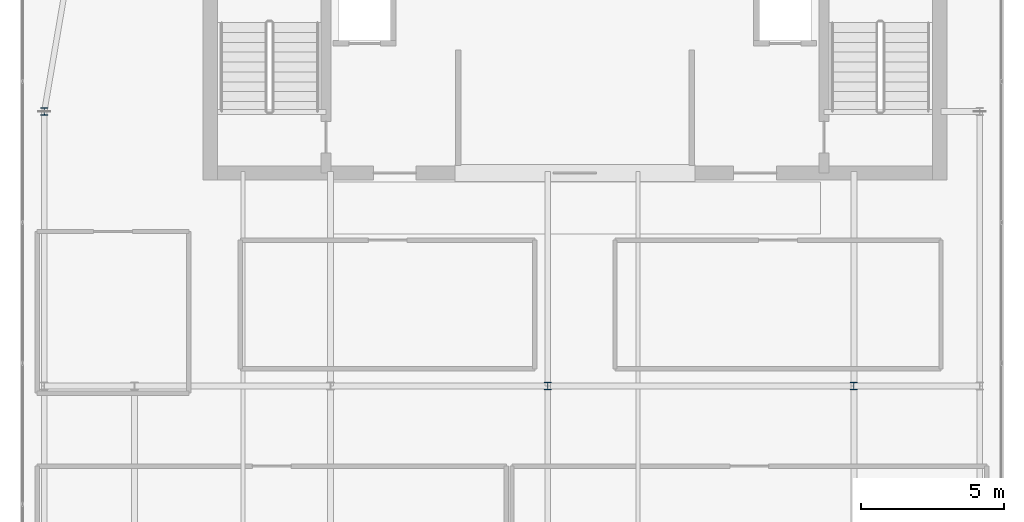
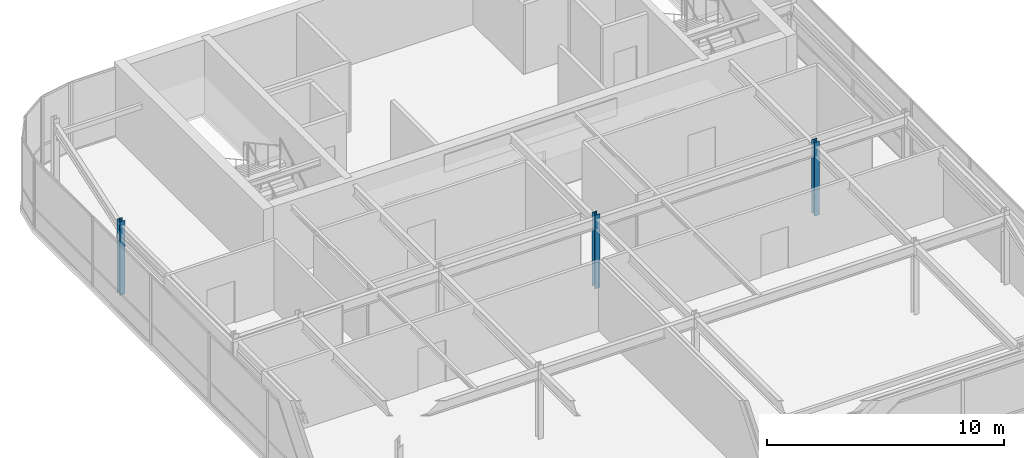
# One storey, part 2 of 36: 3 columns.
"""IFC4 building model written with IfcOpenShell, lengths in metres."""

from ifc_helpers import new_model, si_unit, direction, frame, origin, origin_2d, place, context, subcontext, project, spatial, i_section, extrude, source, transform, mapped, material, material_profile, profile_set, type_object, type_shapes, element, save


model = new_model("IFC4")

# Units and contexts
model_context = context("Model", 3, precision=1e-05, world=origin(), true_north=direction((0.0, 1.0)))
body_context = subcontext(model_context, "Body", "Model", "MODEL_VIEW")
ifc_project = project(units=[si_unit("LENGTHUNIT", "METRE"), si_unit("AREAUNIT", "SQUARE_METRE"), si_unit("VOLUMEUNIT", "CUBIC_METRE"), si_unit("PLANEANGLEUNIT", "RADIAN"), si_unit("MASSUNIT", "GRAM", prefix="KILO")], contexts=[model_context])

# Site, building, storey
site_placement = place(None, origin())
site = spatial("IfcSite", under=ifc_project, at=site_placement, CompositionType="ELEMENT")
building_placement = place(site_placement, origin())
building = spatial("IfcBuilding", under=site, at=building_placement, Name="Tolvann Quenvar Hotel", CompositionType="ELEMENT")
storey_placement = place(building_placement, frame((0.0, 0.0, 298.550048828125)))
storey = spatial("IfcBuildingStorey", under=building, at=storey_placement, Name="L79", CompositionType="ELEMENT", Elevation=298.550048828125)

# Columns
ifc_material = material(Name="Steel Grade 350", Category="steel")
ifc_material_profile = material_profile(ifc_material, i_section(OverallWidth=0.256103515625, OverallDepth=0.260009765625, WebThickness=0.010498046875, FlangeThickness=0.017333984375, FilletRadius=0.013916015625, at=origin_2d()), Name="250UC90")
ifc_profile_set = profile_set([ifc_material_profile], Name="Steel Grade 350")
column_type = type_object("IfcColumnType", Name="COL_250UC90", PredefinedType="COLUMN", material=ifc_profile_set)
shared_shape = source(origin(), body_context, "Body", "SweptSolid", [
    extrude(i_section(OverallWidth=0.256103515625, OverallDepth=0.260009765625, WebThickness=0.010498046875, FlangeThickness=0.017333984375, FilletRadius=0.013916015625, at=origin_2d()), origin(), (0.0, 0.0, 1.0), 3.800048828125),
])
type_shapes(column_type, [shared_shape])
for number, where, z_axis, x_axis, name in (
    (1, (22.050048828125, 24.39990234375, 0.0), (0.0, 0.0, 1.0), (1.0, 0.0, 0.0), "Column E5 (L79)"),
    (2, (32.75, 24.39990234375, 0.0), (0.0, 0.0, 1.0), (1.0, 0.0, 0.0), "Column FP5 (L79)"),
    (3, (4.449951171875, 34.0, 0.0), (0.0, 0.0, 1.0), (1.0, 0.0, 0.0), "Column BD6 (L79)"),
):
    element("IfcColumn", number, at=place(storey_placement, frame(where, z_axis=z_axis, x_axis=x_axis)), inside=storey, type_object=column_type, Name=name, PredefinedType="COLUMN", context=body_context, shape_type="MappedRepresentation", body=[
        mapped(shared_shape, transform((0.0, 0.0, 0.0), x_axis=(1.0, 0.0, 0.0), y_axis=(0.0, 1.0, 0.0), z_axis=(0.0, 0.0, 1.0), scale=1.0)),
    ])

save(model, "model.ifc")
